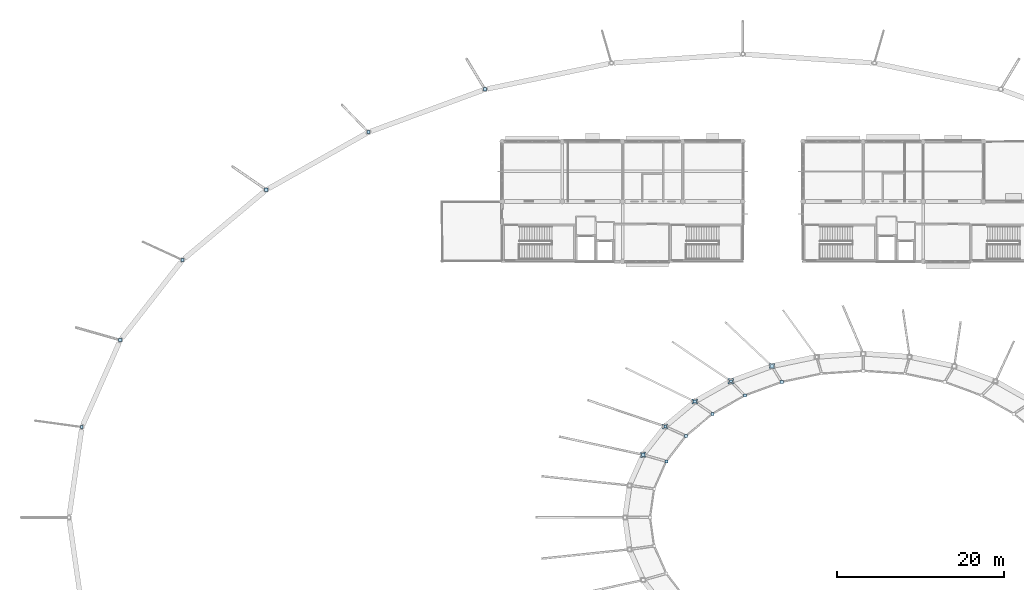
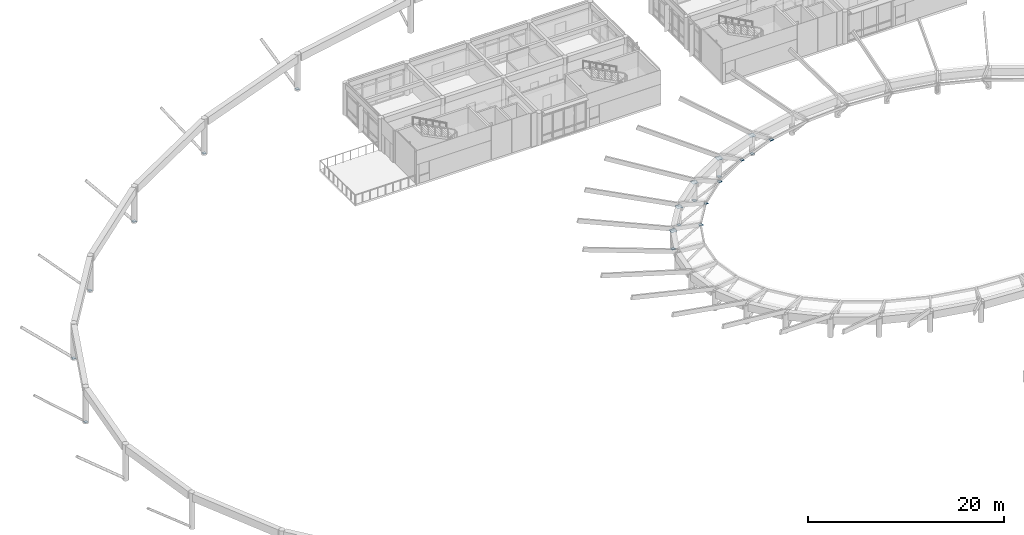
# One storey, part 20 of 37: 21 plates.
"""IFC4 building model written with IfcOpenShell, lengths in metres."""

from ifc_helpers import new_model, si_unit, direction, frame, origin, origin_2d, place, context, subcontext, project, spatial, rectangle, extrude, material, layer, layer_set, type_object, element, save


model = new_model("IFC4")

# Units and contexts
model_context = context("Model", 3, precision=1e-05, world=origin(), true_north=direction((0.0, 1.0)))
body_context = subcontext(model_context, "Body", "Model", "MODEL_VIEW")
ifc_project = project(units=[si_unit("LENGTHUNIT", "METRE"), si_unit("AREAUNIT", "SQUARE_METRE"), si_unit("VOLUMEUNIT", "CUBIC_METRE"), si_unit("PLANEANGLEUNIT", "RADIAN"), si_unit("MASSUNIT", "GRAM", prefix="KILO")], contexts=[model_context])

# Site, building, storey
site_placement = place(None, origin())
site = spatial("IfcSite", under=ifc_project, at=site_placement, CompositionType="ELEMENT")
building_placement = place(site_placement, origin())
building = spatial("IfcBuilding", under=site, at=building_placement, Name="Namkhue Oval Health Centre", CompositionType="ELEMENT")
storey_placement = place(building_placement, frame((0.0, 0.0, 22.199951171875)))
storey = spatial("IfcBuildingStorey", under=building, at=storey_placement, Name="L05", CompositionType="ELEMENT", Elevation=22.199951171875)

# Plates
ifc_material = material(Name="Structural steel EN 10025-2 S355JR (TCVN 5575:2024)", Category="steel")
ifc_layer_1 = layer(ifc_material, 0.02392578125)
ifc_layer_set_1 = layer_set([ifc_layer_1], Name="Structural steel EN 10025-2 S355JR (TCVN 5575:2024)")
plate_type_1 = type_object("IfcPlateType", Name="BASE SPLICE PLATE 620X620X24", PredefinedType="USERDEFINED", material=ifc_layer_set_1)
for number, where, z_axis, x_axis, name in (
    (1, (89.888916015625, 77.509765625, 2.34814453125), (0.0, 0.0, 1.0), (1.0, 0.0, 0.0), "Gridshell IR Ring Bearing Plate 11"),
    (2, (84.95947265625, 75.698486328125, 2.34814453125), (0.0, 0.0, 1.0), (1.0, 0.0, 0.0), "Gridshell IR Ring Bearing Plate 12"),
    (3, (80.638916015625, 73.2607421875, 2.34814453125), (0.0, 0.0, 1.0), (1.0, 0.0, 0.0), "Gridshell IR Ring Bearing Plate 13"),
    (4, (77.093017578125, 70.290283203125, 2.34814453125), (0.0, 0.0, 1.0), (1.0, 0.0, 0.0), "Gridshell IR Ring Bearing Plate 14"),
    (5, (74.458251953125, 66.9013671875, 2.34814453125), (0.0, 0.0, 1.0), (1.0, 0.0, 0.0), "Gridshell IR Ring Bearing Plate 15"),
):
    element("IfcPlate", number, at=place(storey_placement, frame(where, z_axis=z_axis, x_axis=x_axis)), inside=storey, type_object=plate_type_1, Name=name, ObjectType="BASE_PLATE", PredefinedType="USERDEFINED", context=body_context, shape_type="SweptSolid", body=[
        extrude(rectangle(XDim=0.6201171875, YDim=0.6201171875, at=origin_2d()), origin(), (0.0, 0.0, 1.0), 0.02392578125),
    ])
ifc_layer_2 = layer(ifc_material, 0.02001953125)
ifc_layer_set_2 = layer_set([ifc_layer_2], Name="Structural steel EN 10025-2 S355JR (TCVN 5575:2024)")
plate_type_2 = type_object("IfcPlateType", Name="STEEL END CAP PLATE 340X340X20", PredefinedType="USERDEFINED", material=ifc_layer_set_2)
for number, where, z_axis, x_axis, name in (
    (6, (41.589111328125, 105.506591796875, 0.08935546875), (0.0, 0.0, 1.0), (1.0, 0.0, 0.0), "Outer Eaves Strut Lower Collar Plate 12"),
    (7, (19.3369140625, 90.20703125, 0.08837890625), (0.0, 0.0, 1.0), (1.0, 0.0, 0.0), "Outer Eaves Strut Lower Collar Plate 14"),
    (8, (7.294189453125, 70.218017578125, 0.087890625), (0.0, 0.0, 1.0), (1.0, 0.0, 0.0), "Outer Eaves Strut Lower Collar Plate 16"),
    (9, (84.96923828125, 75.688720703125, 0.089599609375), (0.0, 0.0, 1.0), (1.0, 0.0, 0.0), "Oval Court Oculus Strut Lower Collar Plate 12"),
    (10, (86.6396484375, 73.9697265625, 2.594970703125), (0.0, 0.0, 1.0), (1.0, 0.0, 0.0), "Oval Court Oculus Strut Cap Plate 12"),
    (11, (77.106689453125, 70.2841796875, 0.088623046875), (0.0, 0.0, 1.0), (1.0, 0.0, 0.0), "Oval Court Oculus Strut Lower Collar Plate 14"),
    (12, (79.607421875, 69.13525390625, 2.594970703125), (0.0, 0.0, 1.0), (1.0, 0.0, 0.0), "Oval Court Oculus Strut Cap Plate 14"),
):
    element("IfcPlate", number, at=place(storey_placement, frame(where, z_axis=z_axis, x_axis=x_axis)), inside=storey, type_object=plate_type_2, Name=name, ObjectType="BASE_PLATE", PredefinedType="USERDEFINED", context=body_context, shape_type="SweptSolid", body=[
        extrude(rectangle(XDim=0.340087890625, YDim=0.340087890625, at=origin_2d()), origin(), (0.0, 0.0, 1.0), 0.02001953125),
    ])
ifc_layer_3 = layer(ifc_material, 0.02197265625)
ifc_layer_set_3 = layer_set([ifc_layer_3], Name="Structural steel EN 10025-2 S355JR (TCVN 5575:2024)")
plate_type_3 = type_object("IfcPlateType", Name="STEEL END CAP PLATE 380X380X22", PredefinedType="USERDEFINED", material=ifc_layer_set_3)
for number, where, z_axis, x_axis, name in (
    (13, (55.533447265625, 110.63134765625, 0.0888671875), (0.0, 0.0, 1.0), (1.0, 0.0, 0.0), "Outer Eaves Strut Lower Collar Plate 11"),
    (14, (29.3671875, 98.610107421875, 0.087890625), (0.0, 0.0, 1.0), (1.0, 0.0, 0.0), "Outer Eaves Strut Lower Collar Plate 13"),
    (15, (11.8837890625, 80.6201171875, 0.087158203125), (0.0, 0.0, 1.0), (1.0, 0.0, 0.0), "Outer Eaves Strut Lower Collar Plate 15"),
    (16, (89.895751953125, 77.49853515625, 0.0888671875), (0.0, 0.0, 1.0), (1.0, 0.0, 0.0), "Oval Court Oculus Strut Lower Collar Plate 11"),
    (17, (91.046142578125, 75.589111328125, 2.593994140625), (0.0, 0.0, 1.0), (1.0, 0.0, 0.0), "Oval Court Oculus Strut Cap Plate 11"),
    (18, (80.65087890625, 73.252685546875, 0.087890625), (0.0, 0.0, 1.0), (1.0, 0.0, 0.0), "Oval Court Oculus Strut Lower Collar Plate 13"),
    (19, (82.77734375, 71.79052734375, 2.593994140625), (0.0, 0.0, 1.0), (1.0, 0.0, 0.0), "Oval Court Oculus Strut Cap Plate 13"),
    (20, (74.472900390625, 66.897216796875, 0.087158203125), (0.0, 0.0, 1.0), (1.0, 0.0, 0.0), "Oval Court Oculus Strut Lower Collar Plate 15"),
    (21, (77.252197265625, 66.105712890625, 2.593994140625), (0.0, 0.0, 1.0), (1.0, 0.0, 0.0), "Oval Court Oculus Strut Cap Plate 15"),
):
    element("IfcPlate", number, at=place(storey_placement, frame(where, z_axis=z_axis, x_axis=x_axis)), inside=storey, type_object=plate_type_3, Name=name, ObjectType="BASE_PLATE", PredefinedType="USERDEFINED", context=body_context, shape_type="SweptSolid", body=[
        extrude(rectangle(XDim=0.3798828125, YDim=0.3798828125, at=origin_2d()), origin(), (0.0, 0.0, 1.0), 0.02197265625),
    ])

save(model, "model.ifc")
